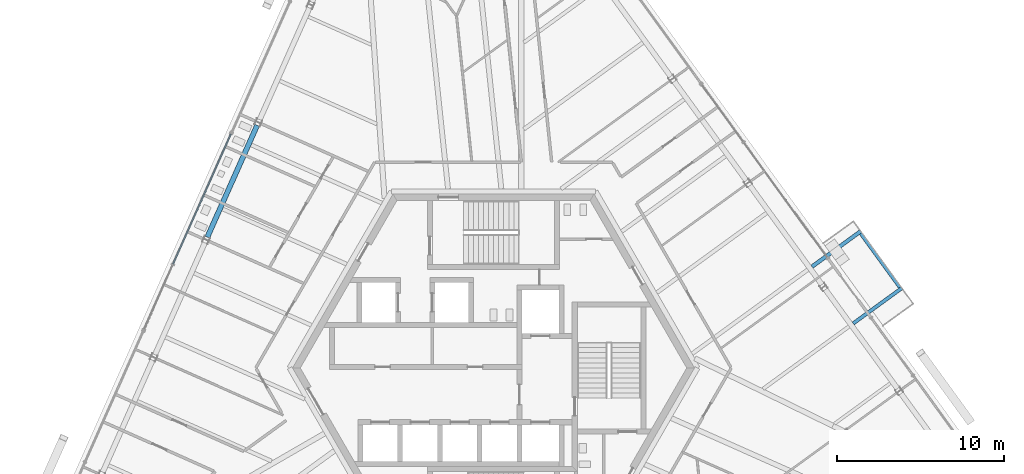
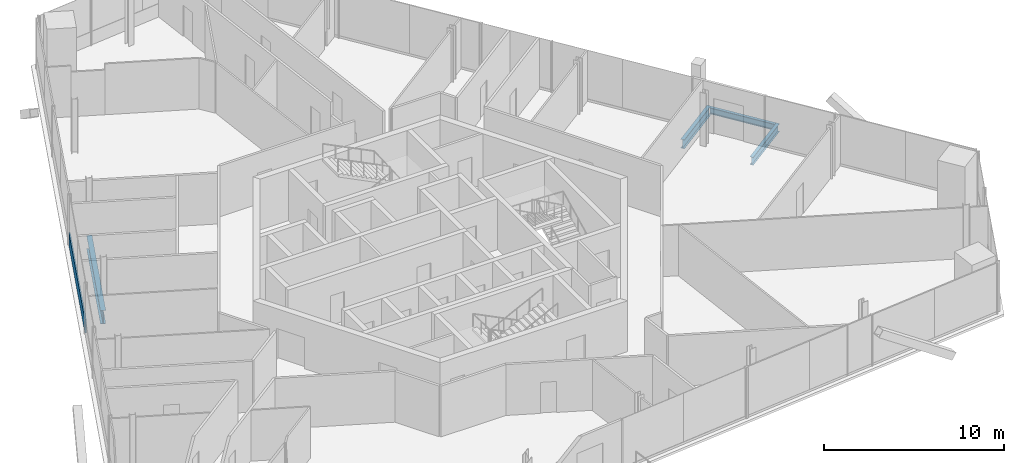
# One storey, part 7 of 19: 4 beams, 1 member, 1 element without a shape of its own.
"""IFC4 building model written with IfcOpenShell, lengths in metres."""

from ifc_helpers import new_model, si_unit, direction, frame, origin, origin_2d, place, context, subcontext, project, spatial, rectangle, i_section, extrude, source, transform, mapped, material, material_profile, profile_set, type_object, element, aggregate, save


model = new_model("IFC4")

# Units and contexts
model_context = context("Model", 3, precision=1e-05, world=origin(), true_north=direction((0.0, 1.0)))
body_context = subcontext(model_context, "Body", "Model", "MODEL_VIEW")
ifc_project = project(units=[si_unit("LENGTHUNIT", "METRE"), si_unit("AREAUNIT", "SQUARE_METRE"), si_unit("VOLUMEUNIT", "CUBIC_METRE"), si_unit("PLANEANGLEUNIT", "RADIAN"), si_unit("MASSUNIT", "GRAM", prefix="KILO")], contexts=[model_context])

# Site, building, storey
site_placement = place(None, origin())
site = spatial("IfcSite", under=ifc_project, at=site_placement, CompositionType="ELEMENT")
building_placement = place(site_placement, origin())
building = spatial("IfcBuilding", under=site, at=building_placement, Name="Triune Harvest Tower", CompositionType="ELEMENT")
storey_placement = place(building_placement, frame((0.0, 0.0, 223.300048828125)))
storey = spatial("IfcBuildingStorey", under=building, at=storey_placement, Name="L58", CompositionType="ELEMENT", Elevation=223.300048828125)

# Beams
ifc_material_1 = material(Name="Steel ASTM A992 Gr 50", Category="steel")
ifc_material_profile_1 = material_profile(ifc_material_1, i_section(OverallWidth=0.3046875, OverallDepth=0.914306640625, WebThickness=0.0166015625, FlangeThickness=0.02587890625, at=origin_2d()), Name="W36x160")
ifc_profile_set_1 = profile_set([ifc_material_profile_1], Name="Steel ASTM A992 Gr 50")
beam_type_1 = type_object("IfcBeamType", Name="SB-1 Spandrel beam W36x160", PredefinedType="SPANDREL", material=ifc_profile_set_1)
shared_shape_1 = source(origin(), body_context, "Body", "SweptSolid", [
    extrude(i_section(OverallWidth=0.3046875, OverallDepth=0.914306640625, WebThickness=0.0166015625, FlangeThickness=0.02587890625, at=origin_2d()), origin(), (0.0, 0.0, 1.0), 7.31103515625),
])
beam_1_placement = place(storey_placement, frame((-14.114990234375, 14.489013671875, -0.6171875), z_axis=(-0.406761135511, -0.913534552514, 0.0), x_axis=(0.913534552514, -0.406761135511, 0.0)))
element("IfcBeam", 1, at=beam_1_placement, inside=storey, type_object=beam_type_1, Name="beam/L58/SB11", PredefinedType="SPANDREL", context=body_context, shape_type="MappedRepresentation", body=[
    mapped(shared_shape_1, transform((0.0, 0.0, 0.0), scale=1.0)),
])
ifc_material_2 = material(Name="Steel ASTM A992 Gr 50", Category="steel")
ifc_material_profile_2 = material_profile(ifc_material_2, i_section(OverallWidth=0.22900390625, OverallDepth=0.612060546875, WebThickness=0.011962890625, FlangeThickness=0.01953125, at=origin_2d()), Name="W24x84")
ifc_profile_set_2 = profile_set([ifc_material_profile_2], Name="Steel ASTM A992 Gr 50")
beam_type_2 = type_object("IfcBeamType", Name="BJ-3 Balcony cantilever joist W24x84", PredefinedType="JOIST", material=ifc_profile_set_2)
shared_shape_2 = source(origin(), body_context, "Body", "SweptSolid", [
    extrude(i_section(OverallWidth=0.22900390625, OverallDepth=0.612060546875, WebThickness=0.011962890625, FlangeThickness=0.01953125, at=origin_2d()), origin(), (0.0, 0.0, 1.0), 3.597412109375),
])
beam_2_placement = place(storey_placement, frame((19.016357421875, 6.0498046875, -0.466064453125), z_axis=(0.809020656446, 0.587780211851, 0.0), x_axis=(-0.587780211851, 0.809020656446, 0.0)))
element("IfcBeam", 2, at=beam_2_placement, inside=storey, type_object=beam_type_2, Name="Balcony cantilever joist B6-F1 L58.4b", PredefinedType="JOIST", context=body_context, shape_type="MappedRepresentation", body=[
    mapped(shared_shape_2, transform((0.0, 0.0, 0.0), scale=1.0)),
])
ifc_material_3 = material(Name="Steel ASTM A992 Gr 50", Category="steel")
ifc_material_profile_3 = material_profile(ifc_material_3, i_section(OverallWidth=0.2099609375, OverallDepth=0.535888671875, WebThickness=0.010986328125, FlangeThickness=0.017333984375, at=origin_2d()), Name="W21x68")
ifc_profile_set_3 = profile_set([ifc_material_profile_3], Name="Steel ASTM A992 Gr 50")
beam_type_3 = type_object("IfcBeamType", Name="BJ-2 Balcony cantilever joist W21x68", PredefinedType="JOIST", material=ifc_profile_set_3)
shared_shape_3 = source(origin(), body_context, "Body", "SweptSolid", [
    extrude(i_section(OverallWidth=0.2099609375, OverallDepth=0.535888671875, WebThickness=0.010986328125, FlangeThickness=0.017333984375, at=origin_2d()), origin(), (0.0, 0.0, 1.0), 3.597412109375),
])
beam_3_placement = place(storey_placement, frame((21.478515625, 2.660888671875, -0.427978515625), z_axis=(0.809020656446, 0.587780211851, 0.0), x_axis=(-0.587780211851, 0.809020656446, 0.0)))
element("IfcBeam", 3, at=beam_3_placement, inside=storey, type_object=beam_type_3, Name="Balcony cantilever joist B6-F1 L58.4a", PredefinedType="JOIST", context=body_context, shape_type="MappedRepresentation", body=[
    mapped(shared_shape_3, transform((0.0, 0.0, 0.0), scale=1.0)),
])
ifc_material_4 = material(Name="Steel ASTM A992 Gr 50", Category="steel")
ifc_material_profile_4 = material_profile(ifc_material_4, i_section(OverallWidth=0.180908203125, OverallDepth=0.41650390625, WebThickness=0.010986328125, FlangeThickness=0.01806640625, at=origin_2d()), Name="W16x57")
ifc_profile_set_4 = profile_set([ifc_material_profile_4], Name="Steel ASTM A992 Gr 50")
beam_type_4 = type_object("IfcBeamType", Name="BE-1 balcony edge beam W16x57", PredefinedType="BEAM", material=ifc_profile_set_4)
shared_shape_4 = source(origin(), body_context, "Body", "SweptSolid", [
    extrude(i_section(OverallWidth=0.180908203125, OverallDepth=0.41650390625, WebThickness=0.010986328125, FlangeThickness=0.01806640625, at=origin_2d()), origin(), (0.0, 0.0, 1.0), 3.96923828125),
])
beam_4_placement = place(storey_placement, frame((21.9208984375, 8.0185546875, -0.368408203125), z_axis=(0.587776642261, -0.809023249859, 0.0), x_axis=(0.809023249859, 0.587776642261, 0.0)))
element("IfcBeam", 4, at=beam_4_placement, inside=storey, type_object=beam_type_4, Name="Balcony edge beam B6-F1 L58.4", PredefinedType="BEAM", context=body_context, shape_type="MappedRepresentation", body=[
    mapped(shared_shape_4, transform((0.0, 0.0, 0.0), scale=1.0)),
])

# Curtain wall, member
ifc_material_5 = material(Name="Aluminium bronze anodised", Category="aluminium")
curtain_wall_type = type_object("IfcCurtainWallType", Name="CW-1 Tower stick curtain wall", PredefinedType="NOTDEFINED", material=ifc_material_5)
curtain_wall_placement = place(storey_placement, origin())
curtain_wall = element("IfcCurtainWall", 5, at=curtain_wall_placement, inside=storey, type_object=curtain_wall_type, Name="CW-1 B6-F3 L58 run 1001")
ifc_material_6 = material(Name="Aluminium bronze anodised", Category="aluminium")
ifc_material_profile_5 = material_profile(ifc_material_6, rectangle(XDim=0.090087890625, YDim=0.89990234375, at=origin_2d()), Name="TR-1 transom 90 x 900")
ifc_profile_set_5 = profile_set([ifc_material_profile_5], Name="Aluminium bronze anodised")
member_type = type_object("IfcMemberType", Name="TR-1 transom 90 x 900", PredefinedType="USERDEFINED", material=ifc_profile_set_5)
shared_shape_5 = source(origin(), body_context, "Body", "SweptSolid", [
    extrude(rectangle(XDim=0.090087890625, YDim=0.89990234375, at=origin_2d()), origin(), (0.0, 0.0, 1.0), 8.487548828125),
])
member_placement = place(storey_placement, frame((-15.68115234375, 13.9599609375, 0.449951171875), z_axis=(-0.406736215364, -0.913545648072, 0.0), x_axis=(0.913545648072, -0.406736215364, 0.0)))
member = element("IfcMember", 6, at=member_placement, type_object=member_type, Name="CW-1 transom B6-F3 1001.1", ObjectType="TRANSOM", PredefinedType="USERDEFINED", context=body_context, shape_type="MappedRepresentation", body=[
    mapped(shared_shape_5, transform((0.0, 0.0, 0.0), scale=1.0)),
])
aggregate(curtain_wall, [member])

save(model, "model.ifc")
